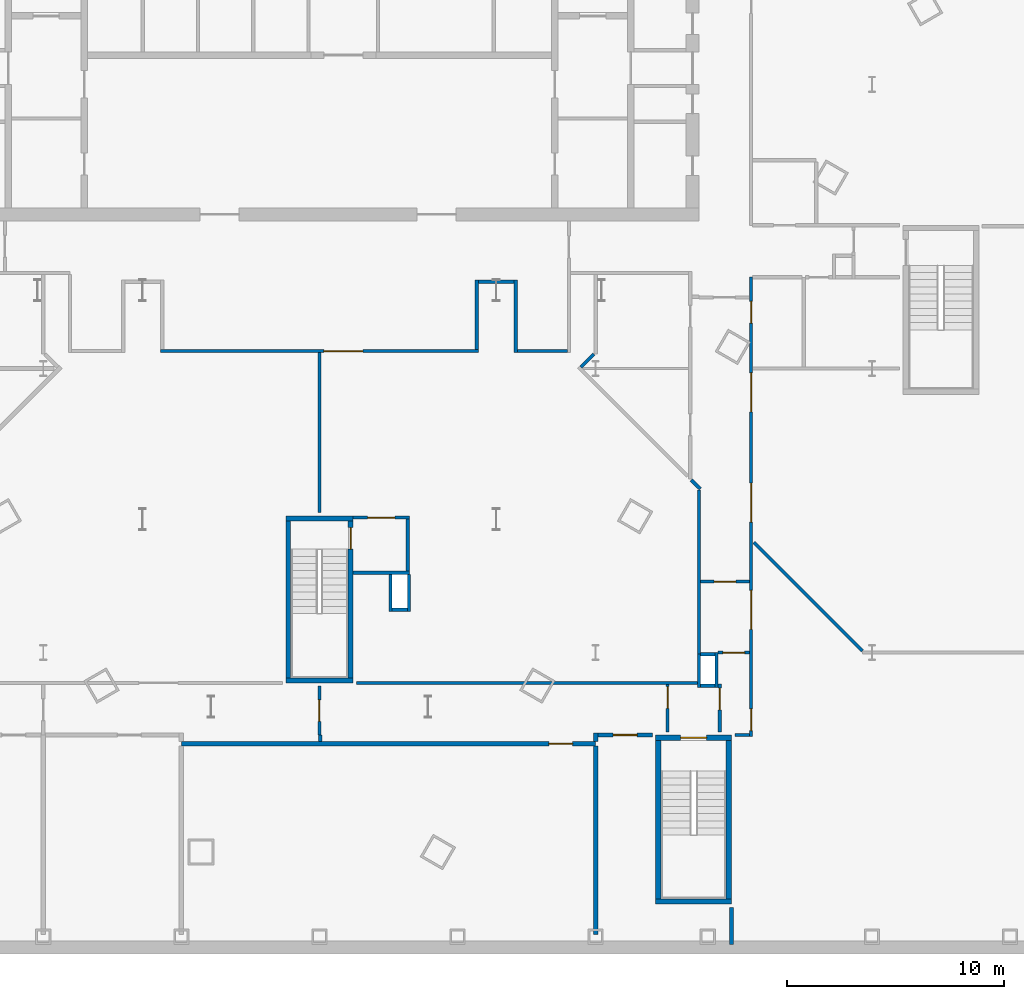
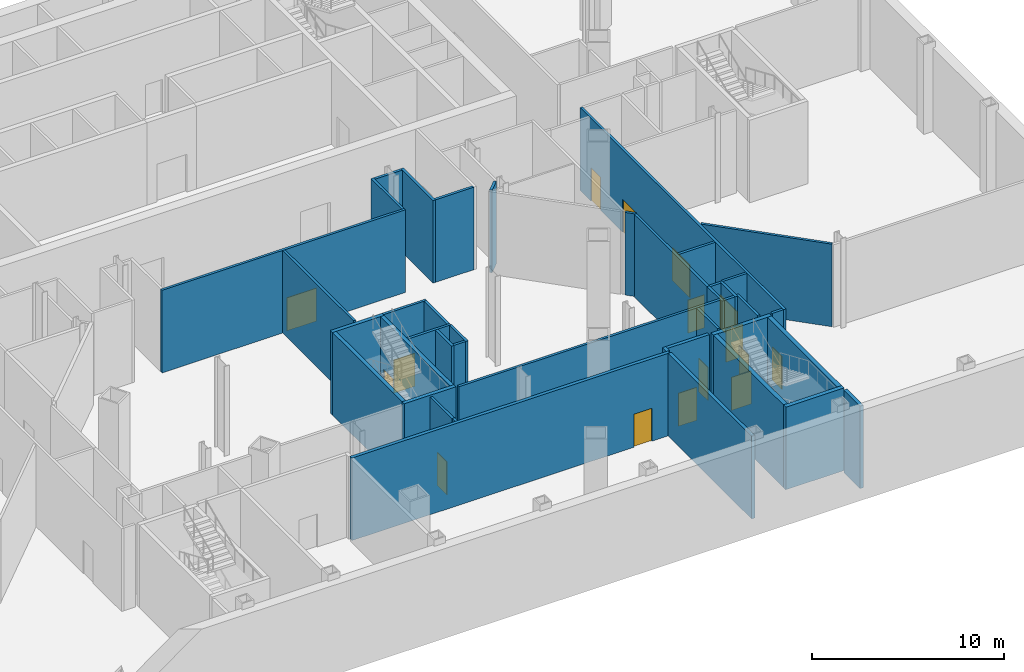
# One storey, part 7 of 17: 42 walls, 16 doors, 16 openings.
"""IFC4 building model written with IfcOpenShell, lengths in metres."""

from ifc_helpers import new_model, si_unit, direction, frame, frame_2d, origin, place, context, subcontext, project, spatial, rectangle, extrude, material, layer, layer_set, type_object, element, fill, save


model = new_model("IFC4")

# Units and contexts
model_context = context("Model", 3, precision=1e-05, world=origin(), true_north=direction((0.0, 1.0)))
body_context = subcontext(model_context, "Body", "Model", "MODEL_VIEW")
ifc_project = project(units=[si_unit("LENGTHUNIT", "METRE"), si_unit("AREAUNIT", "SQUARE_METRE"), si_unit("VOLUMEUNIT", "CUBIC_METRE"), si_unit("PLANEANGLEUNIT", "RADIAN"), si_unit("MASSUNIT", "GRAM", prefix="KILO")], contexts=[model_context])

# Site, building, storey
site_placement = place(None, origin())
site = spatial("IfcSite", under=ifc_project, at=site_placement, CompositionType="ELEMENT")
building_placement = place(site_placement, origin())
building = spatial("IfcBuilding", under=site, at=building_placement, Name="Njiva Tower", CompositionType="ELEMENT")
storey_placement = place(building_placement, frame((0.0, 0.0, -11.4)))
storey = spatial("IfcBuildingStorey", under=building, at=storey_placement, Name="B2", CompositionType="ELEMENT", Elevation=-11.4)

# Wall, opening, door
ifc_material_1 = material(Name="Gypsum board on steel studs", Category="gypsum")
ifc_layer_1 = layer(ifc_material_1, 0.15)
ifc_layer_set_1 = layer_set([ifc_layer_1], Name="Gypsum board on steel studs")
wall_type_1 = type_object("IfcWallType", Name="WT21 Compartment wall 150", PredefinedType="PARTITIONING", material=ifc_layer_set_1)
wall_1_placement = place(storey_placement, frame((-7.325, -6.0, 0.0), z_axis=(0.0, 0.0, 1.0), x_axis=(1.0, 0.0, 0.0)))
wall_1 = element("IfcWall", 1, at=wall_1_placement, inside=storey, type_object=wall_type_1, Name="Partition B2-P052", PredefinedType="PARTITIONING", context=body_context, shape_type="SweptSolid", body=[
    extrude(rectangle(XDim=14.65, YDim=0.15, at=frame_2d((7.325, 0.0))), origin(), (0.0, 0.0, 1.0), 5.25),
])
opening_1_placement = place(wall_1_placement, frame((7.529, 0.0, 0.0)))
opening_1 = element("IfcOpeningElement", 2, at=opening_1_placement, cuts=wall_1, Name="Opening B2-D018", PredefinedType="OPENING", context=body_context, shape_type="SweptSolid", body=[
    extrude(rectangle(XDim=1.8, YDim=2.1, at=frame_2d((0.9, 1.05))), frame((0.0, 0.085, 0.0), z_axis=(0.0, -1.0, 0.0), x_axis=(1.0, 0.0, 0.0)), (0.0, 0.0, 1.0), 0.17),
])
ifc_material_2 = material(Name="Steel fire door set", Category="steel")
door_type_1 = type_object("IfcDoorType", Name="D38 Fire door 1800x2100", OperationType="DOUBLE_DOOR_SINGLE_SWING", PredefinedType="DOOR", material=ifc_material_2)
door_1_placement = place(opening_1_placement, origin())
door_1 = element("IfcDoor", 3, at=door_1_placement, inside=storey, type_object=door_type_1, Name="Door B2-D018", OperationType="DOUBLE_DOOR_SINGLE_SWING", OverallHeight=2.1, OverallWidth=1.8, PredefinedType="DOOR", context=body_context, shape_type="SweptSolid", body=[
    extrude(rectangle(XDim=1.8, YDim=2.1, at=frame_2d((0.9, 1.05))), frame((0.0, 0.025, 0.0), z_axis=(0.0, -1.0, 0.0), x_axis=(1.0, 0.0, 0.0)), (0.0, 0.0, 1.0), 0.05),
])
fill(opening_1, door_1)

wall_2_placement = place(storey_placement, frame((0.0, -23.7, 0.0), z_axis=(0.0, 0.0, 1.0), x_axis=(0.0, 1.0, 0.0)))
wall_2 = element("IfcWall", 4, at=wall_2_placement, inside=storey, type_object=wall_type_1, Name="Partition B2-P057", PredefinedType="PARTITIONING", context=body_context, shape_type="SweptSolid", body=[
    extrude(rectangle(XDim=2.25, YDim=0.15, at=frame_2d((1.125, 0.0))), origin(), (0.0, 0.0, 1.0), 5.25),
])
opening_2_placement = place(wall_2_placement, frame((0.625, 0.0, 0.0)))
opening_2 = element("IfcOpeningElement", 5, at=opening_2_placement, cuts=wall_2, Name="Opening B2-D020", PredefinedType="OPENING", context=body_context, shape_type="SweptSolid", body=[
    extrude(rectangle(XDim=1.0, YDim=2.1, at=frame_2d((0.5, 1.05))), frame((0.0, 0.085, 0.0), z_axis=(0.0, -1.0, 0.0), x_axis=(1.0, 0.0, 0.0)), (0.0, 0.0, 1.0), 0.17),
])
door_type_2 = type_object("IfcDoorType", Name="D37 Fire door 1000x2100", OperationType="SINGLE_SWING_LEFT", PredefinedType="DOOR", material=ifc_material_2)
door_2_placement = place(opening_2_placement, origin())
door_2 = element("IfcDoor", 6, at=door_2_placement, inside=storey, type_object=door_type_2, Name="Door B2-D020", OperationType="SINGLE_SWING_RIGHT", OverallHeight=2.1, OverallWidth=1.0, PredefinedType="DOOR", context=body_context, shape_type="SweptSolid", body=[
    extrude(rectangle(XDim=1.0, YDim=2.1, at=frame_2d((0.5, 1.05))), frame((0.0, 0.025, 0.0), z_axis=(0.0, -1.0, 0.0), x_axis=(1.0, 0.0, 0.0)), (0.0, 0.0, 1.0), 0.05),
])
fill(opening_2, door_2)

# Walls
wall_3_placement = place(storey_placement, frame((0.0, -13.45, 0.0), z_axis=(0.0, 0.0, 1.0), x_axis=(0.0, 1.0, 0.0)))
element("IfcWall", 7, at=wall_3_placement, inside=storey, type_object=wall_type_1, Name="Partition B2-P058", PredefinedType="PARTITIONING", context=body_context, shape_type="SweptSolid", body=[
    extrude(rectangle(XDim=7.375, YDim=0.15, at=frame_2d((3.6875, 0.0))), origin(), (0.0, 0.0, 1.0), 5.25),
])
wall_4_placement = place(storey_placement, frame((0.033, -24.0, 0.0), z_axis=(0.0, 0.0, 1.0), x_axis=(0.0, 1.0, 0.0)))
element("IfcWall", 8, at=wall_4_placement, inside=storey, type_object=wall_type_1, Name="Partition B2-P059", PredefinedType="PARTITIONING", context=body_context, shape_type="SweptSolid", body=[
    extrude(rectangle(XDim=0.3, YDim=0.15, at=frame_2d((0.15, 0.0))), origin(), (0.0, 0.0, 1.0), 5.25),
])
wall_5_placement = place(storey_placement, frame((1.7, -21.3, 0.0), z_axis=(0.0, 0.0, 1.0), x_axis=(0.999999997978, 6.3593005e-05, 0.0)))
element("IfcWall", 9, at=wall_5_placement, inside=storey, type_object=wall_type_1, Name="Partition B2-P061", PredefinedType="PARTITIONING", context=body_context, shape_type="SweptSolid", body=[
    extrude(rectangle(XDim=15.725, YDim=0.15, at=frame_2d((7.8625, 0.0))), origin(), (0.0, 0.0, 1.0), 5.25),
])
wall_6_placement = place(storey_placement, frame((7.25, -5.925, 0.0), z_axis=(0.0, 0.0, 1.0), x_axis=(0.0, 1.0, 0.0)))
element("IfcWall", 10, at=wall_6_placement, inside=storey, type_object=wall_type_1, Name="Partition B2-P062", PredefinedType="PARTITIONING", context=body_context, shape_type="SweptSolid", body=[
    extrude(rectangle(XDim=3.2, YDim=0.15, at=frame_2d((1.6, 0.0))), origin(), (0.0, 0.0, 1.0), 5.25),
])
wall_7_placement = place(storey_placement, frame((7.325, -2.8, 0.0), z_axis=(0.0, 0.0, 1.0), x_axis=(1.0, 0.0, 0.0)))
element("IfcWall", 11, at=wall_7_placement, inside=storey, type_object=wall_type_1, Name="Partition B2-P063", PredefinedType="PARTITIONING", context=body_context, shape_type="SweptSolid", body=[
    extrude(rectangle(XDim=1.65, YDim=0.15, at=frame_2d((0.825, 0.0))), origin(), (0.0, 0.0, 1.0), 5.25),
])
wall_8_placement = place(storey_placement, frame((9.05, -6.075, 0.0), z_axis=(0.0, 0.0, 1.0), x_axis=(0.0, 1.0, 0.0)))
element("IfcWall", 12, at=wall_8_placement, inside=storey, type_object=wall_type_1, Name="Partition B2-P064", PredefinedType="PARTITIONING", context=body_context, shape_type="SweptSolid", body=[
    extrude(rectangle(XDim=3.35, YDim=0.15, at=frame_2d((1.675, 0.0))), origin(), (0.0, 0.0, 1.0), 5.25),
])
wall_9_placement = place(storey_placement, frame((9.125, -6.0, 0.0), z_axis=(0.0, 0.0, 1.0), x_axis=(1.0, 0.0, 0.0)))
element("IfcWall", 13, at=wall_9_placement, inside=storey, type_object=wall_type_1, Name="Partition B2-P065", PredefinedType="PARTITIONING", context=body_context, shape_type="SweptSolid", body=[
    extrude(rectangle(XDim=2.3, YDim=0.15, at=frame_2d((1.15, 0.0))), origin(), (0.0, 0.0, 1.0), 5.25),
])
wall_10_placement = place(storey_placement, frame((12.054, -6.747, 0.0), z_axis=(0.0, 0.0, 1.0), x_axis=(0.706521670373, 0.707691408238, 0.0)))
element("IfcWall", 14, at=wall_10_placement, inside=storey, type_object=wall_type_1, Name="Partition B2-P070", PredefinedType="PARTITIONING", context=body_context, shape_type="SweptSolid", body=[
    extrude(rectangle(XDim=0.8549, YDim=0.15, at=frame_2d((0.4274, 0.0))), origin(), (0.0, 0.0, 1.0), 5.25),
])

# Wall, opening, door
wall_11_placement = place(storey_placement, frame((16.05, -23.55, 0.0), z_axis=(0.0, 0.0, 1.0), x_axis=(0.0, 1.0, 0.0)))
wall_11 = element("IfcWall", 15, at=wall_11_placement, inside=storey, type_object=wall_type_1, Name="Partition B2-P076", PredefinedType="PARTITIONING", context=body_context, shape_type="SweptSolid", body=[
    extrude(rectangle(XDim=2.176, YDim=0.15, at=frame_2d((1.088, 0.0))), origin(), (0.0, 0.0, 1.0), 5.25),
])
opening_3_placement = place(wall_11_placement, frame((1.075, 0.0, 0.0)))
opening_3 = element("IfcOpeningElement", 16, at=opening_3_placement, cuts=wall_11, Name="Opening B2-D023", PredefinedType="OPENING", context=body_context, shape_type="SweptSolid", body=[
    extrude(rectangle(XDim=1.0, YDim=2.1, at=frame_2d((0.5, 1.05))), frame((0.0, 0.085, 0.0), z_axis=(0.0, -1.0, 0.0), x_axis=(1.0, 0.0, 0.0)), (0.0, 0.0, 1.0), 0.17),
])
ifc_material_3 = material(Name="Glazed steel fire door", Category="steel")
door_type_3 = type_object("IfcDoorType", Name="D41 Glazed fire door 1000x2100", OperationType="SINGLE_SWING_LEFT", PredefinedType="DOOR", material=ifc_material_3)
door_3_placement = place(opening_3_placement, origin())
door_3 = element("IfcDoor", 17, at=door_3_placement, inside=storey, type_object=door_type_3, Name="Door B2-D023", OperationType="SINGLE_SWING_RIGHT", OverallHeight=2.1, OverallWidth=1.0, PredefinedType="DOOR", context=body_context, shape_type="SweptSolid", body=[
    extrude(rectangle(XDim=1.0, YDim=2.1, at=frame_2d((0.5, 1.05))), frame((0.0, 0.025, 0.0), z_axis=(0.0, -1.0, 0.0), x_axis=(1.0, 0.0, 0.0)), (0.0, 0.0, 1.0), 0.05),
])
fill(opening_3, door_3)

# Walls
wall_12_placement = place(storey_placement, frame((17.137, -11.938, 0.0), z_axis=(0.0, 0.0, 1.0), x_axis=(0.707957179278, -0.706255359136, 0.0)))
element("IfcWall", 18, at=wall_12_placement, inside=storey, type_object=wall_type_1, Name="Partition B2-P078", PredefinedType="PARTITIONING", context=body_context, shape_type="SweptSolid", body=[
    extrude(rectangle(XDim=0.5876, YDim=0.15, at=frame_2d((0.2938, 0.0))), origin(), (0.0, 0.0, 1.0), 5.25),
])
wall_13_placement = place(storey_placement, frame((17.5, -19.963, 0.0), z_axis=(0.0, 0.0, 1.0), x_axis=(0.0, 1.0, 0.0)))
element("IfcWall", 19, at=wall_13_placement, inside=storey, type_object=wall_type_1, Name="Partition B2-P081", PredefinedType="PARTITIONING", context=body_context, shape_type="SweptSolid", body=[
    extrude(rectangle(XDim=7.557, YDim=0.15, at=frame_2d((3.7785, 0.0))), origin(), (0.0, 0.0, 1.0), 5.25),
])

# Wall, opening, door
wall_14_placement = place(storey_placement, frame((17.575, -16.625, 0.0), z_axis=(0.0, 0.0, 1.0), x_axis=(1.0, 0.0, 0.0)))
wall_14 = element("IfcWall", 20, at=wall_14_placement, inside=storey, type_object=wall_type_1, Name="Partition B2-P086", PredefinedType="PARTITIONING", context=body_context, shape_type="SweptSolid", body=[
    extrude(rectangle(XDim=2.25, YDim=0.15, at=frame_2d((1.125, 0.0))), origin(), (0.0, 0.0, 1.0), 5.25),
])
opening_4_placement = place(wall_14_placement, frame((0.625, 0.0, 0.0)))
opening_4 = element("IfcOpeningElement", 21, at=opening_4_placement, cuts=wall_14, Name="Opening B2-D027", PredefinedType="OPENING", context=body_context, shape_type="SweptSolid", body=[
    extrude(rectangle(XDim=1.0, YDim=2.1, at=frame_2d((0.5, 1.05))), frame((0.0, 0.085, 0.0), z_axis=(0.0, -1.0, 0.0), x_axis=(1.0, 0.0, 0.0)), (0.0, 0.0, 1.0), 0.17),
])
door_4_placement = place(opening_4_placement, origin())
door_4 = element("IfcDoor", 22, at=door_4_placement, inside=storey, type_object=door_type_2, Name="Door B2-D027", OperationType="SINGLE_SWING_RIGHT", OverallHeight=2.1, OverallWidth=1.0, PredefinedType="DOOR", context=body_context, shape_type="SweptSolid", body=[
    extrude(rectangle(XDim=1.0, YDim=2.1, at=frame_2d((0.5, 1.05))), frame((0.0, 0.025, 0.0), z_axis=(0.0, -1.0, 0.0), x_axis=(1.0, 0.0, 0.0)), (0.0, 0.0, 1.0), 0.05),
])
fill(opening_4, door_4)

wall_15_placement = place(storey_placement, frame((18.375, -19.9, 0.0), z_axis=(0.0, 0.0, 1.0), x_axis=(1.0, 0.0, 0.0)))
wall_15 = element("IfcWall", 23, at=wall_15_placement, inside=storey, type_object=wall_type_1, Name="Partition B2-P088", PredefinedType="PARTITIONING", context=body_context, shape_type="SweptSolid", body=[
    extrude(rectangle(XDim=1.45, YDim=0.15, at=frame_2d((0.725, 0.0))), origin(), (0.0, 0.0, 1.0), 5.25),
])
opening_5_placement = place(wall_15_placement, frame((0.225, 0.0, 0.0)))
opening_5 = element("IfcOpeningElement", 24, at=opening_5_placement, cuts=wall_15, Name="Opening B2-D028", PredefinedType="OPENING", context=body_context, shape_type="SweptSolid", body=[
    extrude(rectangle(XDim=1.0, YDim=2.1, at=frame_2d((0.5, 1.05))), frame((0.0, 0.085, 0.0), z_axis=(0.0, -1.0, 0.0), x_axis=(1.0, 0.0, 0.0)), (0.0, 0.0, 1.0), 0.17),
])
door_5_placement = place(opening_5_placement, origin())
door_5 = element("IfcDoor", 25, at=door_5_placement, inside=storey, type_object=door_type_2, Name="Door B2-D028", OperationType="SINGLE_SWING_LEFT", OverallHeight=2.1, OverallWidth=1.0, PredefinedType="DOOR", context=body_context, shape_type="SweptSolid", body=[
    extrude(rectangle(XDim=1.0, YDim=2.1, at=frame_2d((0.5, 1.05))), frame((0.0, 0.025, 0.0), z_axis=(0.0, -1.0, 0.0), x_axis=(1.0, 0.0, 0.0)), (0.0, 0.0, 1.0), 0.05),
])
fill(opening_5, door_5)

wall_16_placement = place(storey_placement, frame((18.45, -23.55, 0.0), z_axis=(0.0, 0.0, 1.0), x_axis=(0.0, 1.0, 0.0)))
wall_16 = element("IfcWall", 26, at=wall_16_placement, inside=storey, type_object=wall_type_1, Name="Partition B2-P089", PredefinedType="PARTITIONING", context=body_context, shape_type="SweptSolid", body=[
    extrude(rectangle(XDim=2.2, YDim=0.15, at=frame_2d((1.1, 0.0))), origin(), (0.0, 0.0, 1.0), 5.25),
])
opening_6_placement = place(wall_16_placement, frame((1.013, 0.0, 0.0)))
opening_6 = element("IfcOpeningElement", 27, at=opening_6_placement, cuts=wall_16, Name="Opening B2-D029", PredefinedType="OPENING", context=body_context, shape_type="SweptSolid", body=[
    extrude(rectangle(XDim=1.0, YDim=2.1, at=frame_2d((0.5, 1.05))), frame((0.0, 0.085, 0.0), z_axis=(0.0, -1.0, 0.0), x_axis=(1.0, 0.0, 0.0)), (0.0, 0.0, 1.0), 0.17),
])
door_6_placement = place(opening_6_placement, origin())
door_6 = element("IfcDoor", 28, at=door_6_placement, inside=storey, type_object=door_type_3, Name="Door B2-D029", OperationType="SINGLE_SWING_LEFT", OverallHeight=2.1, OverallWidth=1.0, PredefinedType="DOOR", context=body_context, shape_type="SweptSolid", body=[
    extrude(rectangle(XDim=1.0, YDim=2.1, at=frame_2d((0.5, 1.05))), frame((0.0, 0.025, 0.0), z_axis=(0.0, -1.0, 0.0), x_axis=(1.0, 0.0, 0.0)), (0.0, 0.0, 1.0), 0.05),
])
fill(opening_6, door_6)

# Wall
wall_17_placement = place(storey_placement, frame((19.15, -23.7, 0.0), z_axis=(0.0, 0.0, 1.0), x_axis=(1.0, 0.0, 0.0)))
element("IfcWall", 29, at=wall_17_placement, inside=storey, type_object=wall_type_1, Name="Partition B2-P091", PredefinedType="PARTITIONING", context=body_context, shape_type="SweptSolid", body=[
    extrude(rectangle(XDim=0.675, YDim=0.15, at=frame_2d((0.3375, 0.0))), origin(), (0.0, 0.0, 1.0), 5.25),
])

# Wall, openings, doors
wall_18_placement = place(storey_placement, frame((19.9, -23.775, 0.0), z_axis=(0.0, 0.0, 1.0), x_axis=(0.0, 1.0, 0.0)))
wall_18 = element("IfcWall", 30, at=wall_18_placement, inside=storey, type_object=wall_type_1, Name="Partition B2-P092", PredefinedType="PARTITIONING", context=body_context, shape_type="SweptSolid", body=[
    extrude(rectangle(XDim=21.187, YDim=0.15, at=frame_2d((10.5935, 0.0))), origin(), (0.0, 0.0, 1.0), 5.25),
])
opening_7_placement = place(wall_18_placement, frame((0.275, 0.0, 0.0)))
opening_7 = element("IfcOpeningElement", 31, at=opening_7_placement, cuts=wall_18, Name="Opening B2-D030", PredefinedType="OPENING", context=body_context, shape_type="SweptSolid", body=[
    extrude(rectangle(XDim=1.0, YDim=2.1, at=frame_2d((0.5, 1.05))), frame((0.0, 0.085, 0.0), z_axis=(0.0, -1.0, 0.0), x_axis=(1.0, 0.0, 0.0)), (0.0, 0.0, 1.0), 0.17),
])
opening_8_placement = place(wall_18_placement, frame((4.942, 0.0, 0.0)))
opening_8 = element("IfcOpeningElement", 32, at=opening_8_placement, cuts=wall_18, Name="Opening B2-D031", PredefinedType="OPENING", context=body_context, shape_type="SweptSolid", body=[
    extrude(rectangle(XDim=1.8, YDim=2.1, at=frame_2d((0.9, 1.05))), frame((0.0, 0.085, 0.0), z_axis=(0.0, -1.0, 0.0), x_axis=(1.0, 0.0, 0.0)), (0.0, 0.0, 1.0), 0.17),
])
opening_9_placement = place(wall_18_placement, frame((9.886, 0.0, 0.0)))
opening_9 = element("IfcOpeningElement", 33, at=opening_9_placement, cuts=wall_18, Name="Opening B2-D032", PredefinedType="OPENING", context=body_context, shape_type="SweptSolid", body=[
    extrude(rectangle(XDim=1.8, YDim=2.1, at=frame_2d((0.9, 1.05))), frame((0.0, 0.085, 0.0), z_axis=(0.0, -1.0, 0.0), x_axis=(1.0, 0.0, 0.0)), (0.0, 0.0, 1.0), 0.17),
])
opening_10_placement = place(wall_18_placement, frame((14.973, 0.0, 0.0)))
opening_10 = element("IfcOpeningElement", 34, at=opening_10_placement, cuts=wall_18, Name="Opening B2-D033", PredefinedType="OPENING", context=body_context, shape_type="SweptSolid", body=[
    extrude(rectangle(XDim=1.8, YDim=2.1, at=frame_2d((0.9, 1.05))), frame((0.0, 0.085, 0.0), z_axis=(0.0, -1.0, 0.0), x_axis=(1.0, 0.0, 0.0)), (0.0, 0.0, 1.0), 0.17),
])
opening_11_placement = place(wall_18_placement, frame((19.062, 0.0, 0.0)))
opening_11 = element("IfcOpeningElement", 35, at=opening_11_placement, cuts=wall_18, Name="Opening B2-D034", PredefinedType="OPENING", context=body_context, shape_type="SweptSolid", body=[
    extrude(rectangle(XDim=1.0, YDim=2.1, at=frame_2d((0.5, 1.05))), frame((0.0, 0.085, 0.0), z_axis=(0.0, -1.0, 0.0), x_axis=(1.0, 0.0, 0.0)), (0.0, 0.0, 1.0), 0.17),
])
door_7_placement = place(opening_7_placement, origin())
door_7 = element("IfcDoor", 36, at=door_7_placement, inside=storey, type_object=door_type_2, Name="Door B2-D030", OperationType="SINGLE_SWING_RIGHT", OverallHeight=2.1, OverallWidth=1.0, PredefinedType="DOOR", context=body_context, shape_type="SweptSolid", body=[
    extrude(rectangle(XDim=1.0, YDim=2.1, at=frame_2d((0.5, 1.05))), frame((0.0, 0.025, 0.0), z_axis=(0.0, -1.0, 0.0), x_axis=(1.0, 0.0, 0.0)), (0.0, 0.0, 1.0), 0.05),
])
fill(opening_7, door_7)
door_8_placement = place(opening_11_placement, origin())
door_8 = element("IfcDoor", 37, at=door_8_placement, inside=storey, type_object=door_type_2, Name="Door B2-D034", OperationType="SINGLE_SWING_RIGHT", OverallHeight=2.1, OverallWidth=1.0, PredefinedType="DOOR", context=body_context, shape_type="SweptSolid", body=[
    extrude(rectangle(XDim=1.0, YDim=2.1, at=frame_2d((0.5, 1.05))), frame((0.0, 0.025, 0.0), z_axis=(0.0, -1.0, 0.0), x_axis=(1.0, 0.0, 0.0)), (0.0, 0.0, 1.0), 0.05),
])
fill(opening_11, door_8)
door_9_placement = place(opening_8_placement, origin())
door_9 = element("IfcDoor", 38, at=door_9_placement, inside=storey, type_object=door_type_1, Name="Door B2-D031", OperationType="DOUBLE_DOOR_SINGLE_SWING", OverallHeight=2.1, OverallWidth=1.8, PredefinedType="DOOR", context=body_context, shape_type="SweptSolid", body=[
    extrude(rectangle(XDim=1.8, YDim=2.1, at=frame_2d((0.9, 1.05))), frame((0.0, 0.025, 0.0), z_axis=(0.0, -1.0, 0.0), x_axis=(1.0, 0.0, 0.0)), (0.0, 0.0, 1.0), 0.05),
])
fill(opening_8, door_9)
door_10_placement = place(opening_9_placement, origin())
door_10 = element("IfcDoor", 39, at=door_10_placement, inside=storey, type_object=door_type_1, Name="Door B2-D032", OperationType="DOUBLE_DOOR_SINGLE_SWING", OverallHeight=2.1, OverallWidth=1.8, PredefinedType="DOOR", context=body_context, shape_type="SweptSolid", body=[
    extrude(rectangle(XDim=1.8, YDim=2.1, at=frame_2d((0.9, 1.05))), frame((0.0, 0.025, 0.0), z_axis=(0.0, -1.0, 0.0), x_axis=(1.0, 0.0, 0.0)), (0.0, 0.0, 1.0), 0.05),
])
fill(opening_9, door_10)
door_11_placement = place(opening_10_placement, origin())
door_11 = element("IfcDoor", 40, at=door_11_placement, inside=storey, type_object=door_type_1, Name="Door B2-D033", OperationType="DOUBLE_DOOR_SINGLE_SWING", OverallHeight=2.1, OverallWidth=1.8, PredefinedType="DOOR", context=body_context, shape_type="SweptSolid", body=[
    extrude(rectangle(XDim=1.8, YDim=2.1, at=frame_2d((0.9, 1.05))), frame((0.0, 0.025, 0.0), z_axis=(0.0, -1.0, 0.0), x_axis=(1.0, 0.0, 0.0)), (0.0, 0.0, 1.0), 0.05),
])
fill(opening_10, door_11)

# Wall
wall_19_placement = place(storey_placement, frame((20.028, -14.827, 0.0), z_axis=(0.0, 0.0, 1.0), x_axis=(0.707106781187, -0.707106781187, 0.0)))
element("IfcWall", 41, at=wall_19_placement, inside=storey, type_object=wall_type_1, Name="Partition B2-P099", PredefinedType="PARTITIONING", context=body_context, shape_type="SweptSolid", body=[
    extrude(rectangle(XDim=7.0682, YDim=0.15, at=frame_2d((3.5341, 0.0))), origin(), (0.0, 0.0, 1.0), 5.25),
])

# Wall, opening, door
ifc_material_4 = material(Name="Blockwork", Category="masonry")
ifc_layer_2 = layer(ifc_material_4, 0.2)
ifc_layer_set_2 = layer_set([ifc_layer_2], Name="Blockwork")
wall_type_2 = type_object("IfcWallType", Name="WT22 Plant room wall 200", PredefinedType="PARTITIONING", material=ifc_layer_set_2)
wall_20_placement = place(storey_placement, frame((-6.367, -24.1, 0.0), z_axis=(0.0, 0.0, 1.0), x_axis=(1.0, 0.0, 0.0)))
wall_20 = element("IfcWall", 42, at=wall_20_placement, inside=storey, type_object=wall_type_2, Name="Partition B2-P055", PredefinedType="PARTITIONING", context=body_context, shape_type="SweptSolid", body=[
    extrude(rectangle(XDim=19.1, YDim=0.2, at=frame_2d((9.55, 0.0))), origin(), (0.0, 0.0, 1.0), 5.25),
])
opening_12_placement = place(wall_20_placement, frame((16.944, 0.0, 0.0)))
opening_12 = element("IfcOpeningElement", 43, at=opening_12_placement, cuts=wall_20, Name="Opening B2-D019", PredefinedType="OPENING", context=body_context, shape_type="SweptSolid", body=[
    extrude(rectangle(XDim=1.1, YDim=2.1, at=frame_2d((0.55, 1.05))), frame((0.0, 0.11, 0.0), z_axis=(0.0, -1.0, 0.0), x_axis=(1.0, 0.0, 0.0)), (0.0, 0.0, 1.0), 0.22),
])
ifc_material_5 = material(Name="Steel door set", Category="steel")
door_type_4 = type_object("IfcDoorType", Name="D34 Plant door 1100x2100", OperationType="SINGLE_SWING_LEFT", PredefinedType="DOOR", material=ifc_material_5)
door_12_placement = place(opening_12_placement, origin())
door_12 = element("IfcDoor", 44, at=door_12_placement, inside=storey, type_object=door_type_4, Name="Door B2-D019", OperationType="SINGLE_SWING_RIGHT", OverallHeight=2.1, OverallWidth=1.1, PredefinedType="DOOR", context=body_context, shape_type="SweptSolid", body=[
    extrude(rectangle(XDim=1.1, YDim=2.1, at=frame_2d((0.55, 1.05))), frame((0.0, 0.025, 0.0), z_axis=(0.0, -1.0, 0.0), x_axis=(1.0, 0.0, 0.0)), (0.0, 0.0, 1.0), 0.05),
])
fill(opening_12, door_12)

# Walls
wall_21_placement = place(storey_placement, frame((12.732, -32.9, 0.0), z_axis=(0.0, 0.0, 1.0), x_axis=(0.000114942528, 0.999999993394, 0.0)))
element("IfcWall", 45, at=wall_21_placement, inside=storey, type_object=wall_type_2, Name="Partition B2-P072", PredefinedType="PARTITIONING", context=body_context, shape_type="SweptSolid", body=[
    extrude(rectangle(XDim=8.7, YDim=0.2, at=frame_2d((4.35, 0.0))), origin(), (0.0, 0.0, 1.0), 5.25),
])
wall_22_placement = place(storey_placement, frame((12.733, -24.0, 0.0), z_axis=(0.0, 0.0, 1.0), x_axis=(0.0, 1.0, 0.0)))
element("IfcWall", 46, at=wall_22_placement, inside=storey, type_object=wall_type_2, Name="Partition B2-P073", PredefinedType="PARTITIONING", context=body_context, shape_type="SweptSolid", body=[
    extrude(rectangle(XDim=0.4, YDim=0.2, at=frame_2d((0.2, 0.0))), origin(), (0.0, 0.0, 1.0), 5.25),
])

# Wall, opening, door
wall_23_placement = place(storey_placement, frame((12.833, -23.7, 0.0), z_axis=(0.0, 0.0, 1.0), x_axis=(1.0, 0.0, 0.0)))
wall_23 = element("IfcWall", 47, at=wall_23_placement, inside=storey, type_object=wall_type_2, Name="Partition B2-P075", PredefinedType="PARTITIONING", context=body_context, shape_type="SweptSolid", body=[
    extrude(rectangle(XDim=2.517, YDim=0.2, at=frame_2d((1.2585, 0.0))), origin(), (0.0, 0.0, 1.0), 5.25),
])
opening_13_placement = place(wall_23_placement, frame((0.708, 0.0, 0.0)))
opening_13 = element("IfcOpeningElement", 48, at=opening_13_placement, cuts=wall_23, Name="Opening B2-D022", PredefinedType="OPENING", context=body_context, shape_type="SweptSolid", body=[
    extrude(rectangle(XDim=1.1, YDim=2.1, at=frame_2d((0.55, 1.05))), frame((0.0, 0.11, 0.0), z_axis=(0.0, -1.0, 0.0), x_axis=(1.0, 0.0, 0.0)), (0.0, 0.0, 1.0), 0.22),
])
door_13_placement = place(opening_13_placement, origin())
door_13 = element("IfcDoor", 49, at=door_13_placement, inside=storey, type_object=door_type_4, Name="Door B2-D022", OperationType="SINGLE_SWING_LEFT", OverallHeight=2.1, OverallWidth=1.1, PredefinedType="DOOR", context=body_context, shape_type="SweptSolid", body=[
    extrude(rectangle(XDim=1.1, YDim=2.1, at=frame_2d((0.55, 1.05))), frame((0.0, 0.025, 0.0), z_axis=(0.0, -1.0, 0.0), x_axis=(1.0, 0.0, 0.0)), (0.0, 0.0, 1.0), 0.05),
])
fill(opening_13, door_13)

# Walls
wall_24_placement = place(storey_placement, frame((19.0, -33.348, 0.0), z_axis=(0.0, 0.0, 1.0), x_axis=(0.0, 1.0, 0.0)))
element("IfcWall", 50, at=wall_24_placement, inside=storey, type_object=wall_type_2, Name="Partition B2-P090", PredefinedType="PARTITIONING", context=body_context, shape_type="SweptSolid", body=[
    extrude(rectangle(XDim=1.698, YDim=0.2, at=frame_2d((0.849, 0.0))), origin(), (0.0, 0.0, 1.0), 5.25),
])
ifc_layer_3 = layer(ifc_material_1, 0.15)
ifc_layer_set_3 = layer_set([ifc_layer_3], Name="Gypsum board on steel studs")
wall_type_3 = type_object("IfcWallType", Name="WT24 Riser room wall 150", PredefinedType="PARTITIONING", material=ifc_layer_set_3)
wall_25_placement = place(storey_placement, frame((17.5, -21.5, 0.0), z_axis=(0.0, 0.0, 1.0), x_axis=(0.0, 1.0, 0.0)))
element("IfcWall", 51, at=wall_25_placement, inside=storey, type_object=wall_type_3, Name="Partition B2-P080", PredefinedType="PARTITIONING", context=body_context, shape_type="SweptSolid", body=[
    extrude(rectangle(XDim=1.537, YDim=0.15, at=frame_2d((0.7685, 0.0))), origin(), (0.0, 0.0, 1.0), 5.25),
])
for number, where, z_axis, x_axis, name in (
    (52, (17.575, -21.425, 0.0), (0.0, 0.0, 1.0), (1.0, 0.0, 0.0), "Partition B2-P084"),
    (53, (17.575, -19.975, 0.0), (0.0, 0.0, 1.0), (1.0, 0.0, 0.0), "Partition B2-P085"),
):
    element("IfcWall", number, at=place(storey_placement, frame(where, z_axis=z_axis, x_axis=x_axis)), inside=storey, type_object=wall_type_3, Name=name, PredefinedType="PARTITIONING", context=body_context, shape_type="SweptSolid", body=[
        extrude(rectangle(XDim=0.65, YDim=0.15, at=frame_2d((0.325, 0.0))), origin(), (0.0, 0.0, 1.0), 5.25),
    ])
wall_26_placement = place(storey_placement, frame((18.3, -21.5, 0.0), z_axis=(0.0, 0.0, 1.0), x_axis=(0.0, 1.0, 0.0)))
element("IfcWall", 54, at=wall_26_placement, inside=storey, type_object=wall_type_3, Name="Partition B2-P087", PredefinedType="PARTITIONING", context=body_context, shape_type="SweptSolid", body=[
    extrude(rectangle(XDim=1.6, YDim=0.15, at=frame_2d((0.8, 0.0))), origin(), (0.0, 0.0, 1.0), 5.25),
])
ifc_layer_4 = layer(ifc_material_4, 0.15)
ifc_layer_set_4 = layer_set([ifc_layer_4], Name="Blockwork")
wall_type_4 = type_object("IfcWallType", Name="WT4 Stair partition 150", PredefinedType="PARTITIONING", material=ifc_layer_set_4)
wall_27_placement = place(storey_placement, frame((1.55, -16.225, 0.0), z_axis=(0.0, 0.0, 1.0), x_axis=(1.0, 0.0, 0.0)))
element("IfcWall", 55, at=wall_27_placement, inside=storey, type_object=wall_type_4, Name="Stair C vestibule wall south", PredefinedType="PARTITIONING", context=body_context, shape_type="SweptSolid", body=[
    extrude(rectangle(XDim=2.6, YDim=0.15, at=frame_2d((1.3, 0.0))), origin(), (0.0, 0.0, 1.0), 5.25),
])
wall_28_placement = place(storey_placement, frame((4.075, -16.15, 0.0), z_axis=(0.0, 0.0, 1.0), x_axis=(0.0, 1.0, 0.0)))
element("IfcWall", 56, at=wall_28_placement, inside=storey, type_object=wall_type_4, Name="Stair C vestibule wall east", PredefinedType="PARTITIONING", context=body_context, shape_type="SweptSolid", body=[
    extrude(rectangle(XDim=2.4, YDim=0.15, at=frame_2d((1.2, 0.0))), origin(), (0.0, 0.0, 1.0), 5.25),
])

# Wall, opening, door
wall_29_placement = place(storey_placement, frame((1.55, -13.675, 0.0), z_axis=(0.0, 0.0, 1.0), x_axis=(1.0, 0.0, 0.0)))
wall_29 = element("IfcWall", 57, at=wall_29_placement, inside=storey, type_object=wall_type_4, Name="Stair C vestibule wall north", PredefinedType="PARTITIONING", context=body_context, shape_type="SweptSolid", body=[
    extrude(rectangle(XDim=2.6, YDim=0.15, at=frame_2d((1.3, 0.0))), origin(), (0.0, 0.0, 1.0), 5.25),
])
opening_14_placement = place(wall_29_placement, frame((0.675, 0.0, 0.0)))
opening_14 = element("IfcOpeningElement", 58, at=opening_14_placement, cuts=wall_29, Name="Opening B2-D937", PredefinedType="OPENING", context=body_context, shape_type="SweptSolid", body=[
    extrude(rectangle(XDim=1.25, YDim=2.1, at=frame_2d((0.625, 1.05))), frame((0.0, 0.085, 0.0), z_axis=(0.0, -1.0, 0.0), x_axis=(1.0, 0.0, 0.0)), (0.0, 0.0, 1.0), 0.17),
])
door_type_5 = type_object("IfcDoorType", Name="D8 Vestibule corridor door 1250x2100 glazed", OperationType="SINGLE_SWING_LEFT", PredefinedType="DOOR", material=ifc_material_3)
door_14_placement = place(opening_14_placement, origin())
door_14 = element("IfcDoor", 59, at=door_14_placement, inside=storey, type_object=door_type_5, Name="Stair vestibule corridor door", OperationType="SINGLE_SWING_RIGHT", OverallHeight=2.1, OverallWidth=1.25, PredefinedType="DOOR", context=body_context, shape_type="SweptSolid", body=[
    extrude(rectangle(XDim=1.25, YDim=2.1, at=frame_2d((0.625, 1.05))), frame((0.0, 0.025, 0.0), z_axis=(0.0, -1.0, 0.0), x_axis=(1.0, 0.0, 0.0)), (0.0, 0.0, 1.0), 0.05),
])
fill(opening_14, door_14)

# Walls
wall_30_placement = place(storey_placement, frame((3.275, -18.0, 0.0), z_axis=(0.0, 0.0, 1.0), x_axis=(0.0, 1.0, 0.0)))
element("IfcWall", 60, at=wall_30_placement, inside=storey, type_object=wall_type_4, Name="Stair C pressurisation shaft wall", PredefinedType="PARTITIONING", context=body_context, shape_type="SweptSolid", body=[
    extrude(rectangle(XDim=1.7, YDim=0.15, at=frame_2d((0.85, 0.0))), origin(), (0.0, 0.0, 1.0), 5.25),
])
wall_31_placement = place(storey_placement, frame((3.35, -17.925, 0.0), z_axis=(0.0, 0.0, 1.0), x_axis=(1.0, 0.0, 0.0)))
element("IfcWall", 61, at=wall_31_placement, inside=storey, type_object=wall_type_4, Name="Stair C pressurisation shaft wall", PredefinedType="PARTITIONING", context=body_context, shape_type="SweptSolid", body=[
    extrude(rectangle(XDim=0.7, YDim=0.15, at=frame_2d((0.35, 0.0))), origin(), (0.0, 0.0, 1.0), 5.25),
])
wall_32_placement = place(storey_placement, frame((4.125, -18.0, 0.0), z_axis=(0.0, 0.0, 1.0), x_axis=(0.0, 1.0, 0.0)))
element("IfcWall", 62, at=wall_32_placement, inside=storey, type_object=wall_type_4, Name="Stair C pressurisation shaft wall", PredefinedType="PARTITIONING", context=body_context, shape_type="SweptSolid", body=[
    extrude(rectangle(XDim=1.7, YDim=0.15, at=frame_2d((0.85, 0.0))), origin(), (0.0, 0.0, 1.0), 5.25),
])
ifc_material_6 = material(Name="Concrete C40/50", Category="concrete")
ifc_layer_5 = layer(ifc_material_6, 0.225)
ifc_layer_set_5 = layer_set([ifc_layer_5], Name="Concrete C40/50")
wall_type_5 = type_object("IfcWallType", Name="WT8 Stair enclosure wall 225", PredefinedType="SHEAR", material=ifc_layer_set_5)
wall_33_placement = place(storey_placement, frame((-1.4375, -21.075, 0.0), z_axis=(0.0, 0.0, 1.0), x_axis=(0.0, 1.0, 0.0)))
element("IfcWall", 63, at=wall_33_placement, inside=storey, type_object=wall_type_5, Name="Stair C wall west", PredefinedType="SHEAR", context=body_context, shape_type="SweptSolid", body=[
    extrude(rectangle(XDim=7.25, YDim=0.225, at=frame_2d((3.625, 0.0))), origin(), (0.0, 0.0, 1.0), 5.25),
])

# Wall, opening, door
wall_34_placement = place(storey_placement, frame((1.4375, -21.075, 0.0), z_axis=(0.0, 0.0, 1.0), x_axis=(0.0, 1.0, 0.0)))
wall_34 = element("IfcWall", 64, at=wall_34_placement, inside=storey, type_object=wall_type_5, Name="Stair C wall east", PredefinedType="SHEAR", context=body_context, shape_type="SweptSolid", body=[
    extrude(rectangle(XDim=7.25, YDim=0.225, at=frame_2d((3.625, 0.0))), origin(), (0.0, 0.0, 1.0), 5.25),
])
opening_15_placement = place(wall_34_placement, frame((5.94, 0.0, 0.0)))
opening_15 = element("IfcOpeningElement", 65, at=opening_15_placement, cuts=wall_34, Name="Opening B2-D936", PredefinedType="OPENING", context=body_context, shape_type="SweptSolid", body=[
    extrude(rectangle(XDim=1.0, YDim=2.1, at=frame_2d((0.5, 1.05))), frame((0.0, 0.1225, 0.0), z_axis=(0.0, -1.0, 0.0), x_axis=(1.0, 0.0, 0.0)), (0.0, 0.0, 1.0), 0.245),
])
door_type_6 = type_object("IfcDoorType", Name="D9 Stair vestibule door 1000x2100 glazed", OperationType="SINGLE_SWING_LEFT", PredefinedType="DOOR", material=ifc_material_3)
door_15_placement = place(opening_15_placement, origin())
door_15 = element("IfcDoor", 66, at=door_15_placement, inside=storey, type_object=door_type_6, Name="Stair C door", OperationType="SINGLE_SWING_LEFT", OverallHeight=2.1, OverallWidth=1.0, PredefinedType="DOOR", context=body_context, shape_type="SweptSolid", body=[
    extrude(rectangle(XDim=1.0, YDim=2.1, at=frame_2d((0.5, 1.05))), frame((0.0, 0.025, 0.0), z_axis=(0.0, -1.0, 0.0), x_axis=(1.0, 0.0, 0.0)), (0.0, 0.0, 1.0), 0.05),
])
fill(opening_15, door_15)

# Walls
for number, where, z_axis, x_axis, name in (
    (67, (-1.55, -21.1875, 0.0), (0.0, 0.0, 1.0), (1.0, 0.0, 0.0), "Stair C wall south"),
    (68, (-1.55, -13.7125, 0.0), (0.0, 0.0, 1.0), (1.0, 0.0, 0.0), "Stair C wall north"),
):
    element("IfcWall", number, at=place(storey_placement, frame(where, z_axis=z_axis, x_axis=x_axis)), inside=storey, type_object=wall_type_5, Name=name, PredefinedType="SHEAR", context=body_context, shape_type="SweptSolid", body=[
        extrude(rectangle(XDim=3.1, YDim=0.225, at=frame_2d((1.55, 0.0))), origin(), (0.0, 0.0, 1.0), 5.25),
    ])
ifc_layer_6 = layer(ifc_material_6, 0.25)
ifc_layer_set_6 = layer_set([ifc_layer_6], Name="Concrete C40/50")
wall_type_6 = type_object("IfcWallType", Name="WT9 Stair enclosure wall 250", PredefinedType="SHEAR", material=ifc_layer_set_6)
for number, where, z_axis, x_axis, name in (
    (69, (15.625, -31.25, 0.0), (0.0, 0.0, 1.0), (0.0, 1.0, 0.0), "Stair E wall west"),
    (70, (18.875, -31.25, 0.0), (0.0, 0.0, 1.0), (0.0, 1.0, 0.0), "Stair E wall east"),
):
    element("IfcWall", number, at=place(storey_placement, frame(where, z_axis=z_axis, x_axis=x_axis)), inside=storey, type_object=wall_type_6, Name=name, PredefinedType="SHEAR", context=body_context, shape_type="SweptSolid", body=[
        extrude(rectangle(XDim=7.3, YDim=0.25, at=frame_2d((3.65, 0.0))), origin(), (0.0, 0.0, 1.0), 5.25),
    ])
wall_35_placement = place(storey_placement, frame((15.5, -31.375, 0.0), z_axis=(0.0, 0.0, 1.0), x_axis=(1.0, 0.0, 0.0)))
element("IfcWall", 71, at=wall_35_placement, inside=storey, type_object=wall_type_6, Name="Stair E wall south", PredefinedType="SHEAR", context=body_context, shape_type="SweptSolid", body=[
    extrude(rectangle(XDim=3.5, YDim=0.25, at=frame_2d((1.75, 0.0))), origin(), (0.0, 0.0, 1.0), 5.25),
])

# Wall, opening, door
wall_36_placement = place(storey_placement, frame((15.5, -23.825, 0.0), z_axis=(0.0, 0.0, 1.0), x_axis=(1.0, 0.0, 0.0)))
wall_36 = element("IfcWall", 72, at=wall_36_placement, inside=storey, type_object=wall_type_6, Name="Stair E wall north", PredefinedType="SHEAR", context=body_context, shape_type="SweptSolid", body=[
    extrude(rectangle(XDim=3.5, YDim=0.25, at=frame_2d((1.75, 0.0))), origin(), (0.0, 0.0, 1.0), 5.25),
])
opening_16_placement = place(wall_36_placement, frame((1.15, 0.0, 0.0)))
opening_16 = element("IfcOpeningElement", 73, at=opening_16_placement, cuts=wall_36, Name="Opening B2-D939", PredefinedType="OPENING", context=body_context, shape_type="SweptSolid", body=[
    extrude(rectangle(XDim=1.2, YDim=2.1, at=frame_2d((0.6, 1.05))), frame((0.0, 0.135, 0.0), z_axis=(0.0, -1.0, 0.0), x_axis=(1.0, 0.0, 0.0)), (0.0, 0.0, 1.0), 0.27),
])
ifc_material_7 = material(Name="Steel door, painted", Category="steel")
door_type_7 = type_object("IfcDoorType", Name="D1 Stair door 1200x2100", OperationType="SINGLE_SWING_LEFT", PredefinedType="DOOR", material=ifc_material_7)
door_16_placement = place(opening_16_placement, origin())
door_16 = element("IfcDoor", 74, at=door_16_placement, inside=storey, type_object=door_type_7, Name="Stair E door", OperationType="SINGLE_SWING_LEFT", OverallHeight=2.1, OverallWidth=1.2, PredefinedType="DOOR", context=body_context, shape_type="SweptSolid", body=[
    extrude(rectangle(XDim=1.2, YDim=2.1, at=frame_2d((0.6, 1.05))), frame((0.0, 0.025, 0.0), z_axis=(0.0, -1.0, 0.0), x_axis=(1.0, 0.0, 0.0)), (0.0, 0.0, 1.0), 0.05),
])
fill(opening_16, door_16)

save(model, "model.ifc")
